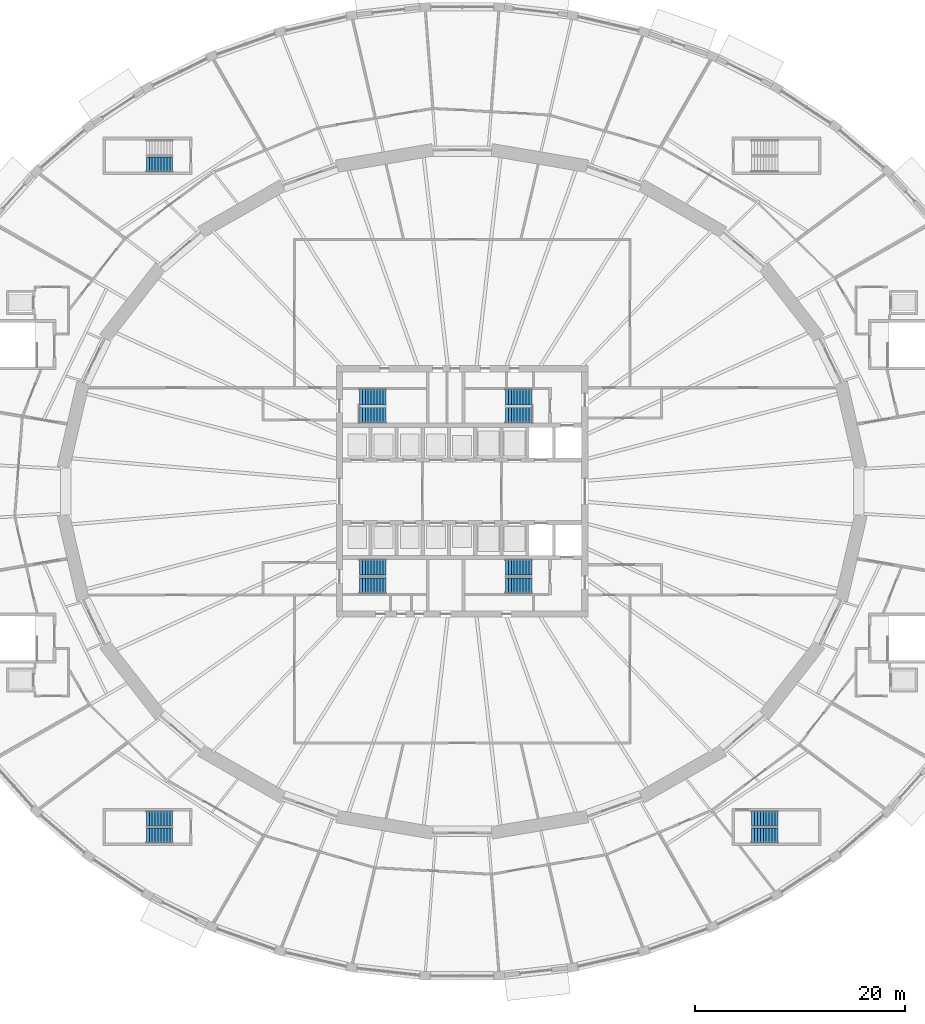
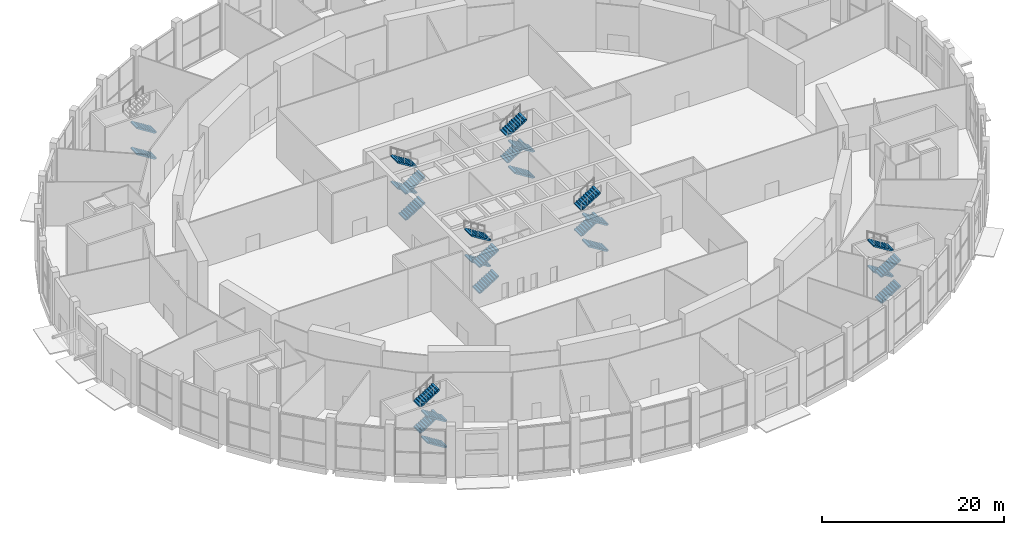
# One storey, part 29 of 33: 26 stair flights, 7 elements without a shape of their own.
"""IFC4 building model written with IfcOpenShell, lengths in metres."""

from ifc_helpers import new_model, si_unit, direction, frame, origin, place, context, subcontext, project, spatial, polyline, outline, extrude, material, type_object, element, aggregate, save


model = new_model("IFC4")

# Units and contexts
model_context = context("Model", 3, precision=1e-05, world=origin(), true_north=direction((0.0, 1.0)))
body_context = subcontext(model_context, "Body", "Model", "MODEL_VIEW")
ifc_project = project(units=[si_unit("LENGTHUNIT", "METRE"), si_unit("AREAUNIT", "SQUARE_METRE"), si_unit("VOLUMEUNIT", "CUBIC_METRE"), si_unit("PLANEANGLEUNIT", "RADIAN"), si_unit("MASSUNIT", "GRAM", prefix="KILO")], contexts=[model_context])

# Site, building, storey
site_placement = place(None, origin())
site = spatial("IfcSite", under=ifc_project, at=site_placement, CompositionType="ELEMENT")
building_placement = place(site_placement, origin())
building = spatial("IfcBuilding", under=site, at=building_placement, Name="Halqa Exchange Tower", CompositionType="ELEMENT")
storey_placement = place(building_placement, origin())
storey = spatial("IfcBuildingStorey", under=building, at=storey_placement, Name="L00", CompositionType="ELEMENT", Elevation=0.0)

# Stair, stair flights
ifc_material = material(Name="Concrete C30/37", Category="concrete")
stair_type_1 = type_object("IfcStairType", Name="Exit stair 1400 wide", PredefinedType="HALF_TURN_STAIR", material=ifc_material)
stair_1_placement = place(storey_placement, origin())
stair_1 = element("IfcStair", 1, at=stair_1_placement, inside=storey, type_object=stair_type_1, Name="Exit stair PS2", PredefinedType="HALF_TURN_STAIR")
stair_flight_type_1 = type_object("IfcStairFlightType", Name="Stair flight 1400 wide", PredefinedType="STRAIGHT", material=ifc_material)
stair_flight_1_placement = place(storey_placement, frame((27.60009765625, -32.824951171875, 0.0), z_axis=(0.0, 0.0, 1.0), x_axis=(1.0, 0.0, 0.0)))
stair_flight_1 = element("IfcStairFlight", 2, at=stair_flight_1_placement, type_object=stair_flight_type_1, Name="PS2 flight 1", NumberOfRisers=10, NumberOfTreads=9, PredefinedType="STRAIGHT", RiserHeight=0.175, TreadLength=0.28, context=body_context, shape_type="SweptSolid", body=[
    extrude(outline(polyline([(0.0, 0.0), (0.0, 0.175048828125), (0.280029296875, 0.175048828125), (0.280029296875, 0.35009765625), (0.56005859375, 0.35009765625), (0.56005859375, 0.52490234375), (0.840087890625, 0.52490234375), (0.840087890625, 0.699951171875), (1.1201171875, 0.699951171875), (1.1201171875, 0.875), (1.39990234375, 0.875), (1.39990234375, 1.050048828125), (1.679931640625, 1.050048828125), (1.679931640625, 1.22509765625), (1.9599609375, 1.22509765625), (1.9599609375, 1.39990234375), (2.239990234375, 1.39990234375), (2.239990234375, 1.574951171875), (2.52001953125, 1.574951171875), (2.52001953125, 1.75), (2.52001953125, 1.398193359375), (0.28271484375, 0.0), (0.0, 0.0)])), frame((0.0, 0.699951171875, 0.0), z_axis=(0.0, -1.0, 0.0), x_axis=(1.0, 0.0, 0.0)), (0.0, 0.0, 1.0), 1.39990234375),
])
stair_flight_2_placement = place(storey_placement, frame((30.1201171875, -31.175048828125, 1.75), z_axis=(0.0, 0.0, 1.0), x_axis=(-1.0, 0.0, 0.0)))
stair_flight_2 = element("IfcStairFlight", 3, at=stair_flight_2_placement, type_object=stair_flight_type_1, Name="PS2 flight 2", NumberOfRisers=10, NumberOfTreads=9, PredefinedType="STRAIGHT", RiserHeight=0.175, TreadLength=0.28, context=body_context, shape_type="SweptSolid", body=[
    extrude(outline(polyline([(0.0, 0.0), (0.0, 0.175048828125), (0.280029296875, 0.175048828125), (0.280029296875, 0.35009765625), (0.56005859375, 0.35009765625), (0.56005859375, 0.52490234375), (0.840087890625, 0.52490234375), (0.840087890625, 0.699951171875), (1.1201171875, 0.699951171875), (1.1201171875, 0.875), (1.39990234375, 0.875), (1.39990234375, 1.050048828125), (1.679931640625, 1.050048828125), (1.679931640625, 1.22509765625), (1.9599609375, 1.22509765625), (1.9599609375, 1.39990234375), (2.239990234375, 1.39990234375), (2.239990234375, 1.574951171875), (2.52001953125, 1.574951171875), (2.52001953125, 1.75), (2.52001953125, 1.398193359375), (0.28271484375, 0.0), (0.0, 0.0)])), frame((0.0, 0.699951171875, 0.0), z_axis=(0.0, -1.0, 0.0), x_axis=(1.0, 0.0, 0.0)), (0.0, 0.0, 1.0), 1.39990234375),
])
stair_flight_3_placement = place(storey_placement, frame((27.60009765625, -32.824951171875, 3.5), z_axis=(0.0, 0.0, 1.0), x_axis=(1.0, 0.0, 0.0)))
stair_flight_3 = element("IfcStairFlight", 4, at=stair_flight_3_placement, type_object=stair_flight_type_1, Name="PS2 flight 3", NumberOfRisers=10, NumberOfTreads=9, PredefinedType="STRAIGHT", RiserHeight=0.175, TreadLength=0.28, context=body_context, shape_type="SweptSolid", body=[
    extrude(outline(polyline([(0.0, 0.0), (0.0, 0.175048828125), (0.280029296875, 0.175048828125), (0.280029296875, 0.35009765625), (0.56005859375, 0.35009765625), (0.56005859375, 0.52490234375), (0.840087890625, 0.52490234375), (0.840087890625, 0.699951171875), (1.1201171875, 0.699951171875), (1.1201171875, 0.875), (1.39990234375, 0.875), (1.39990234375, 1.050048828125), (1.679931640625, 1.050048828125), (1.679931640625, 1.22509765625), (1.9599609375, 1.22509765625), (1.9599609375, 1.39990234375), (2.239990234375, 1.39990234375), (2.239990234375, 1.574951171875), (2.52001953125, 1.574951171875), (2.52001953125, 1.75), (2.52001953125, 1.398193359375), (0.28271484375, 0.0), (0.0, 0.0)])), frame((0.0, 0.699951171875, 0.0), z_axis=(0.0, -1.0, 0.0), x_axis=(1.0, 0.0, 0.0)), (0.0, 0.0, 1.0), 1.39990234375),
])
stair_flight_4_placement = place(storey_placement, frame((30.1201171875, -31.175048828125, 5.25), z_axis=(0.0, 0.0, 1.0), x_axis=(-1.0, 0.0, 0.0)))
stair_flight_4 = element("IfcStairFlight", 5, at=stair_flight_4_placement, type_object=stair_flight_type_1, Name="PS2 flight 4", NumberOfRisers=10, NumberOfTreads=9, PredefinedType="STRAIGHT", RiserHeight=0.175, TreadLength=0.28, context=body_context, shape_type="SweptSolid", body=[
    extrude(outline(polyline([(0.0, 0.0), (0.0, 0.175048828125), (0.280029296875, 0.175048828125), (0.280029296875, 0.35009765625), (0.56005859375, 0.35009765625), (0.56005859375, 0.52490234375), (0.840087890625, 0.52490234375), (0.840087890625, 0.699951171875), (1.1201171875, 0.699951171875), (1.1201171875, 0.875), (1.39990234375, 0.875), (1.39990234375, 1.050048828125), (1.679931640625, 1.050048828125), (1.679931640625, 1.22509765625), (1.9599609375, 1.22509765625), (1.9599609375, 1.39990234375), (2.239990234375, 1.39990234375), (2.239990234375, 1.574951171875), (2.52001953125, 1.574951171875), (2.52001953125, 1.75), (2.52001953125, 1.398193359375), (0.28271484375, 0.0), (0.0, 0.0)])), frame((0.0, 0.699951171875, 0.0), z_axis=(0.0, -1.0, 0.0), x_axis=(1.0, 0.0, 0.0)), (0.0, 0.0, 1.0), 1.39990234375),
])
aggregate(stair_1, [stair_flight_1, stair_flight_2, stair_flight_3, stair_flight_4])

stair_2_placement = place(storey_placement, origin())
stair_2 = element("IfcStair", 6, at=stair_2_placement, inside=storey, type_object=stair_type_1, Name="Exit stair PS3", PredefinedType="HALF_TURN_STAIR")
stair_flight_5_placement = place(storey_placement, frame((-27.60009765625, 31.175048828125, 0.0), z_axis=(0.0, 0.0, 1.0), x_axis=(-1.0, 0.0, 0.0)))
stair_flight_5 = element("IfcStairFlight", 7, at=stair_flight_5_placement, type_object=stair_flight_type_1, Name="PS3 flight 1", NumberOfRisers=10, NumberOfTreads=9, PredefinedType="STRAIGHT", RiserHeight=0.175, TreadLength=0.28, context=body_context, shape_type="SweptSolid", body=[
    extrude(outline(polyline([(0.0, 0.0), (0.0, 0.175048828125), (0.280029296875, 0.175048828125), (0.280029296875, 0.35009765625), (0.56005859375, 0.35009765625), (0.56005859375, 0.52490234375), (0.840087890625, 0.52490234375), (0.840087890625, 0.699951171875), (1.1201171875, 0.699951171875), (1.1201171875, 0.875), (1.39990234375, 0.875), (1.39990234375, 1.050048828125), (1.679931640625, 1.050048828125), (1.679931640625, 1.22509765625), (1.9599609375, 1.22509765625), (1.9599609375, 1.39990234375), (2.239990234375, 1.39990234375), (2.239990234375, 1.574951171875), (2.52001953125, 1.574951171875), (2.52001953125, 1.75), (2.52001953125, 1.398193359375), (0.28271484375, 0.0), (0.0, 0.0)])), frame((0.0, 0.699951171875, 0.0), z_axis=(0.0, -1.0, 0.0), x_axis=(1.0, 0.0, 0.0)), (0.0, 0.0, 1.0), 1.39990234375),
])
stair_flight_6_placement = place(storey_placement, frame((-27.60009765625, 31.175048828125, 3.5), z_axis=(0.0, 0.0, 1.0), x_axis=(-1.0, 0.0, 0.0)))
stair_flight_6 = element("IfcStairFlight", 8, at=stair_flight_6_placement, type_object=stair_flight_type_1, Name="PS3 flight 3", NumberOfRisers=10, NumberOfTreads=9, PredefinedType="STRAIGHT", RiserHeight=0.175, TreadLength=0.28, context=body_context, shape_type="SweptSolid", body=[
    extrude(outline(polyline([(0.0, 0.0), (0.0, 0.175048828125), (0.280029296875, 0.175048828125), (0.280029296875, 0.35009765625), (0.56005859375, 0.35009765625), (0.56005859375, 0.52490234375), (0.840087890625, 0.52490234375), (0.840087890625, 0.699951171875), (1.1201171875, 0.699951171875), (1.1201171875, 0.875), (1.39990234375, 0.875), (1.39990234375, 1.050048828125), (1.679931640625, 1.050048828125), (1.679931640625, 1.22509765625), (1.9599609375, 1.22509765625), (1.9599609375, 1.39990234375), (2.239990234375, 1.39990234375), (2.239990234375, 1.574951171875), (2.52001953125, 1.574951171875), (2.52001953125, 1.75), (2.52001953125, 1.398193359375), (0.28271484375, 0.0), (0.0, 0.0)])), frame((0.0, 0.699951171875, 0.0), z_axis=(0.0, -1.0, 0.0), x_axis=(1.0, 0.0, 0.0)), (0.0, 0.0, 1.0), 1.39990234375),
])
aggregate(stair_2, [stair_flight_5, stair_flight_6])

stair_3_placement = place(storey_placement, origin())
stair_3 = element("IfcStair", 9, at=stair_3_placement, inside=storey, type_object=stair_type_1, Name="Exit stair PS4", PredefinedType="HALF_TURN_STAIR")
stair_flight_7_placement = place(storey_placement, frame((-27.60009765625, -32.824951171875, 0.0), z_axis=(0.0, 0.0, 1.0), x_axis=(-1.0, 0.0, 0.0)))
stair_flight_7 = element("IfcStairFlight", 10, at=stair_flight_7_placement, type_object=stair_flight_type_1, Name="PS4 flight 1", NumberOfRisers=10, NumberOfTreads=9, PredefinedType="STRAIGHT", RiserHeight=0.175, TreadLength=0.28, context=body_context, shape_type="SweptSolid", body=[
    extrude(outline(polyline([(0.0, 0.0), (0.0, 0.175048828125), (0.280029296875, 0.175048828125), (0.280029296875, 0.35009765625), (0.56005859375, 0.35009765625), (0.56005859375, 0.52490234375), (0.840087890625, 0.52490234375), (0.840087890625, 0.699951171875), (1.1201171875, 0.699951171875), (1.1201171875, 0.875), (1.39990234375, 0.875), (1.39990234375, 1.050048828125), (1.679931640625, 1.050048828125), (1.679931640625, 1.22509765625), (1.9599609375, 1.22509765625), (1.9599609375, 1.39990234375), (2.239990234375, 1.39990234375), (2.239990234375, 1.574951171875), (2.52001953125, 1.574951171875), (2.52001953125, 1.75), (2.52001953125, 1.398193359375), (0.28271484375, 0.0), (0.0, 0.0)])), frame((0.0, 0.699951171875, 0.0), z_axis=(0.0, -1.0, 0.0), x_axis=(1.0, 0.0, 0.0)), (0.0, 0.0, 1.0), 1.39990234375),
])
stair_flight_8_placement = place(storey_placement, frame((-30.1201171875, -31.175048828125, 1.75), z_axis=(0.0, 0.0, 1.0), x_axis=(1.0, 0.0, 0.0)))
stair_flight_8 = element("IfcStairFlight", 11, at=stair_flight_8_placement, type_object=stair_flight_type_1, Name="PS4 flight 2", NumberOfRisers=10, NumberOfTreads=9, PredefinedType="STRAIGHT", RiserHeight=0.175, TreadLength=0.28, context=body_context, shape_type="SweptSolid", body=[
    extrude(outline(polyline([(0.0, 0.0), (0.0, 0.175048828125), (0.280029296875, 0.175048828125), (0.280029296875, 0.35009765625), (0.56005859375, 0.35009765625), (0.56005859375, 0.52490234375), (0.840087890625, 0.52490234375), (0.840087890625, 0.699951171875), (1.1201171875, 0.699951171875), (1.1201171875, 0.875), (1.39990234375, 0.875), (1.39990234375, 1.050048828125), (1.679931640625, 1.050048828125), (1.679931640625, 1.22509765625), (1.9599609375, 1.22509765625), (1.9599609375, 1.39990234375), (2.239990234375, 1.39990234375), (2.239990234375, 1.574951171875), (2.52001953125, 1.574951171875), (2.52001953125, 1.75), (2.52001953125, 1.398193359375), (0.28271484375, 0.0), (0.0, 0.0)])), frame((0.0, 0.699951171875, 0.0), z_axis=(0.0, -1.0, 0.0), x_axis=(1.0, 0.0, 0.0)), (0.0, 0.0, 1.0), 1.39990234375),
])
stair_flight_9_placement = place(storey_placement, frame((-27.60009765625, -32.824951171875, 3.5), z_axis=(0.0, 0.0, 1.0), x_axis=(-1.0, 0.0, 0.0)))
stair_flight_9 = element("IfcStairFlight", 12, at=stair_flight_9_placement, type_object=stair_flight_type_1, Name="PS4 flight 3", NumberOfRisers=10, NumberOfTreads=9, PredefinedType="STRAIGHT", RiserHeight=0.175, TreadLength=0.28, context=body_context, shape_type="SweptSolid", body=[
    extrude(outline(polyline([(0.0, 0.0), (0.0, 0.175048828125), (0.280029296875, 0.175048828125), (0.280029296875, 0.35009765625), (0.56005859375, 0.35009765625), (0.56005859375, 0.52490234375), (0.840087890625, 0.52490234375), (0.840087890625, 0.699951171875), (1.1201171875, 0.699951171875), (1.1201171875, 0.875), (1.39990234375, 0.875), (1.39990234375, 1.050048828125), (1.679931640625, 1.050048828125), (1.679931640625, 1.22509765625), (1.9599609375, 1.22509765625), (1.9599609375, 1.39990234375), (2.239990234375, 1.39990234375), (2.239990234375, 1.574951171875), (2.52001953125, 1.574951171875), (2.52001953125, 1.75), (2.52001953125, 1.398193359375), (0.28271484375, 0.0), (0.0, 0.0)])), frame((0.0, 0.699951171875, 0.0), z_axis=(0.0, -1.0, 0.0), x_axis=(1.0, 0.0, 0.0)), (0.0, 0.0, 1.0), 1.39990234375),
])
stair_flight_10_placement = place(storey_placement, frame((-30.1201171875, -31.175048828125, 5.25), z_axis=(0.0, 0.0, 1.0), x_axis=(1.0, 0.0, 0.0)))
stair_flight_10 = element("IfcStairFlight", 13, at=stair_flight_10_placement, type_object=stair_flight_type_1, Name="PS4 flight 4", NumberOfRisers=10, NumberOfTreads=9, PredefinedType="STRAIGHT", RiserHeight=0.175, TreadLength=0.28, context=body_context, shape_type="SweptSolid", body=[
    extrude(outline(polyline([(0.0, 0.0), (0.0, 0.175048828125), (0.280029296875, 0.175048828125), (0.280029296875, 0.35009765625), (0.56005859375, 0.35009765625), (0.56005859375, 0.52490234375), (0.840087890625, 0.52490234375), (0.840087890625, 0.699951171875), (1.1201171875, 0.699951171875), (1.1201171875, 0.875), (1.39990234375, 0.875), (1.39990234375, 1.050048828125), (1.679931640625, 1.050048828125), (1.679931640625, 1.22509765625), (1.9599609375, 1.22509765625), (1.9599609375, 1.39990234375), (2.239990234375, 1.39990234375), (2.239990234375, 1.574951171875), (2.52001953125, 1.574951171875), (2.52001953125, 1.75), (2.52001953125, 1.398193359375), (0.28271484375, 0.0), (0.0, 0.0)])), frame((0.0, 0.699951171875, 0.0), z_axis=(0.0, -1.0, 0.0), x_axis=(1.0, 0.0, 0.0)), (0.0, 0.0, 1.0), 1.39990234375),
])
aggregate(stair_3, [stair_flight_7, stair_flight_8, stair_flight_9, stair_flight_10])

stair_type_2 = type_object("IfcStairType", Name="Exit stair 1500 wide", PredefinedType="HALF_TURN_STAIR", material=ifc_material)
stair_4_placement = place(storey_placement, origin())
stair_4 = element("IfcStair", 14, at=stair_4_placement, inside=storey, type_object=stair_type_2, Name="Exit stair ST1", PredefinedType="HALF_TURN_STAIR")
stair_flight_type_2 = type_object("IfcStairFlightType", Name="Stair flight 1500 wide", PredefinedType="STRAIGHT", material=ifc_material)
stair_flight_11_placement = place(storey_placement, frame((-9.800048828125, 7.25, 0.0), z_axis=(0.0, 0.0, 1.0), x_axis=(1.0, 0.0, 0.0)))
stair_flight_11 = element("IfcStairFlight", 15, at=stair_flight_11_placement, type_object=stair_flight_type_2, Name="ST1 flight 1", NumberOfRisers=10, NumberOfTreads=9, PredefinedType="STRAIGHT", RiserHeight=0.175, TreadLength=0.28, context=body_context, shape_type="SweptSolid", body=[
    extrude(outline(polyline([(0.0, 0.0), (0.0, 0.175048828125), (0.280029296875, 0.175048828125), (0.280029296875, 0.35009765625), (0.56005859375, 0.35009765625), (0.56005859375, 0.52490234375), (0.840087890625, 0.52490234375), (0.840087890625, 0.699951171875), (1.1201171875, 0.699951171875), (1.1201171875, 0.875), (1.39990234375, 0.875), (1.39990234375, 1.050048828125), (1.679931640625, 1.050048828125), (1.679931640625, 1.22509765625), (1.9599609375, 1.22509765625), (1.9599609375, 1.39990234375), (2.239990234375, 1.39990234375), (2.239990234375, 1.574951171875), (2.52001953125, 1.574951171875), (2.52001953125, 1.75), (2.52001953125, 1.398193359375), (0.28271484375, 0.0), (0.0, 0.0)])), frame((0.0, 0.75, 0.0), z_axis=(0.0, -1.0, 0.0), x_axis=(1.0, 0.0, 0.0)), (0.0, 0.0, 1.0), 1.5),
])
stair_flight_12_placement = place(storey_placement, frame((-7.280029296875, 9.0, 1.75), z_axis=(0.0, 0.0, 1.0), x_axis=(-1.0, 0.0, 0.0)))
stair_flight_12 = element("IfcStairFlight", 16, at=stair_flight_12_placement, type_object=stair_flight_type_2, Name="ST1 flight 2", NumberOfRisers=10, NumberOfTreads=9, PredefinedType="STRAIGHT", RiserHeight=0.175, TreadLength=0.28, context=body_context, shape_type="SweptSolid", body=[
    extrude(outline(polyline([(0.0, 0.0), (0.0, 0.175048828125), (0.280029296875, 0.175048828125), (0.280029296875, 0.35009765625), (0.56005859375, 0.35009765625), (0.56005859375, 0.52490234375), (0.840087890625, 0.52490234375), (0.840087890625, 0.699951171875), (1.1201171875, 0.699951171875), (1.1201171875, 0.875), (1.39990234375, 0.875), (1.39990234375, 1.050048828125), (1.679931640625, 1.050048828125), (1.679931640625, 1.22509765625), (1.9599609375, 1.22509765625), (1.9599609375, 1.39990234375), (2.239990234375, 1.39990234375), (2.239990234375, 1.574951171875), (2.52001953125, 1.574951171875), (2.52001953125, 1.75), (2.52001953125, 1.398193359375), (0.28271484375, 0.0), (0.0, 0.0)])), frame((0.0, 0.75, 0.0), z_axis=(0.0, -1.0, 0.0), x_axis=(1.0, 0.0, 0.0)), (0.0, 0.0, 1.0), 1.5),
])
stair_flight_13_placement = place(storey_placement, frame((-9.800048828125, 7.25, 3.5), z_axis=(0.0, 0.0, 1.0), x_axis=(1.0, 0.0, 0.0)))
stair_flight_13 = element("IfcStairFlight", 17, at=stair_flight_13_placement, type_object=stair_flight_type_2, Name="ST1 flight 3", NumberOfRisers=10, NumberOfTreads=9, PredefinedType="STRAIGHT", RiserHeight=0.175, TreadLength=0.28, context=body_context, shape_type="SweptSolid", body=[
    extrude(outline(polyline([(0.0, 0.0), (0.0, 0.175048828125), (0.280029296875, 0.175048828125), (0.280029296875, 0.35009765625), (0.56005859375, 0.35009765625), (0.56005859375, 0.52490234375), (0.840087890625, 0.52490234375), (0.840087890625, 0.699951171875), (1.1201171875, 0.699951171875), (1.1201171875, 0.875), (1.39990234375, 0.875), (1.39990234375, 1.050048828125), (1.679931640625, 1.050048828125), (1.679931640625, 1.22509765625), (1.9599609375, 1.22509765625), (1.9599609375, 1.39990234375), (2.239990234375, 1.39990234375), (2.239990234375, 1.574951171875), (2.52001953125, 1.574951171875), (2.52001953125, 1.75), (2.52001953125, 1.398193359375), (0.28271484375, 0.0), (0.0, 0.0)])), frame((0.0, 0.75, 0.0), z_axis=(0.0, -1.0, 0.0), x_axis=(1.0, 0.0, 0.0)), (0.0, 0.0, 1.0), 1.5),
])
stair_flight_14_placement = place(storey_placement, frame((-7.280029296875, 9.0, 5.25), z_axis=(0.0, 0.0, 1.0), x_axis=(-1.0, 0.0, 0.0)))
stair_flight_14 = element("IfcStairFlight", 18, at=stair_flight_14_placement, type_object=stair_flight_type_2, Name="ST1 flight 4", NumberOfRisers=10, NumberOfTreads=9, PredefinedType="STRAIGHT", RiserHeight=0.175, TreadLength=0.28, context=body_context, shape_type="SweptSolid", body=[
    extrude(outline(polyline([(0.0, 0.0), (0.0, 0.175048828125), (0.280029296875, 0.175048828125), (0.280029296875, 0.35009765625), (0.56005859375, 0.35009765625), (0.56005859375, 0.52490234375), (0.840087890625, 0.52490234375), (0.840087890625, 0.699951171875), (1.1201171875, 0.699951171875), (1.1201171875, 0.875), (1.39990234375, 0.875), (1.39990234375, 1.050048828125), (1.679931640625, 1.050048828125), (1.679931640625, 1.22509765625), (1.9599609375, 1.22509765625), (1.9599609375, 1.39990234375), (2.239990234375, 1.39990234375), (2.239990234375, 1.574951171875), (2.52001953125, 1.574951171875), (2.52001953125, 1.75), (2.52001953125, 1.398193359375), (0.28271484375, 0.0), (0.0, 0.0)])), frame((0.0, 0.75, 0.0), z_axis=(0.0, -1.0, 0.0), x_axis=(1.0, 0.0, 0.0)), (0.0, 0.0, 1.0), 1.5),
])
aggregate(stair_4, [stair_flight_11, stair_flight_12, stair_flight_13, stair_flight_14])

stair_5_placement = place(storey_placement, origin())
stair_5 = element("IfcStair", 19, at=stair_5_placement, inside=storey, type_object=stair_type_2, Name="Exit stair ST2", PredefinedType="HALF_TURN_STAIR")
stair_flight_15_placement = place(storey_placement, frame((6.64990234375, 7.25, 0.0), z_axis=(0.0, 0.0, 1.0), x_axis=(-1.0, 0.0, 0.0)))
stair_flight_15 = element("IfcStairFlight", 20, at=stair_flight_15_placement, type_object=stair_flight_type_2, Name="ST2 flight 1", NumberOfRisers=10, NumberOfTreads=9, PredefinedType="STRAIGHT", RiserHeight=0.175, TreadLength=0.28, context=body_context, shape_type="SweptSolid", body=[
    extrude(outline(polyline([(0.0, 0.0), (0.0, 0.175048828125), (0.280029296875, 0.175048828125), (0.280029296875, 0.35009765625), (0.56005859375, 0.35009765625), (0.56005859375, 0.52490234375), (0.840087890625, 0.52490234375), (0.840087890625, 0.699951171875), (1.1201171875, 0.699951171875), (1.1201171875, 0.875), (1.39990234375, 0.875), (1.39990234375, 1.050048828125), (1.679931640625, 1.050048828125), (1.679931640625, 1.22509765625), (1.9599609375, 1.22509765625), (1.9599609375, 1.39990234375), (2.239990234375, 1.39990234375), (2.239990234375, 1.574951171875), (2.52001953125, 1.574951171875), (2.52001953125, 1.75), (2.52001953125, 1.398193359375), (0.28271484375, 0.0), (0.0, 0.0)])), frame((0.0, 0.75, 0.0), z_axis=(0.0, -1.0, 0.0), x_axis=(1.0, 0.0, 0.0)), (0.0, 0.0, 1.0), 1.5),
])
stair_flight_16_placement = place(storey_placement, frame((4.1298828125, 9.0, 1.75), z_axis=(0.0, 0.0, 1.0), x_axis=(1.0, 0.0, 0.0)))
stair_flight_16 = element("IfcStairFlight", 21, at=stair_flight_16_placement, type_object=stair_flight_type_2, Name="ST2 flight 2", NumberOfRisers=10, NumberOfTreads=9, PredefinedType="STRAIGHT", RiserHeight=0.175, TreadLength=0.28, context=body_context, shape_type="SweptSolid", body=[
    extrude(outline(polyline([(0.0, 0.0), (0.0, 0.175048828125), (0.280029296875, 0.175048828125), (0.280029296875, 0.35009765625), (0.56005859375, 0.35009765625), (0.56005859375, 0.52490234375), (0.840087890625, 0.52490234375), (0.840087890625, 0.699951171875), (1.1201171875, 0.699951171875), (1.1201171875, 0.875), (1.39990234375, 0.875), (1.39990234375, 1.050048828125), (1.679931640625, 1.050048828125), (1.679931640625, 1.22509765625), (1.9599609375, 1.22509765625), (1.9599609375, 1.39990234375), (2.239990234375, 1.39990234375), (2.239990234375, 1.574951171875), (2.52001953125, 1.574951171875), (2.52001953125, 1.75), (2.52001953125, 1.398193359375), (0.28271484375, 0.0), (0.0, 0.0)])), frame((0.0, 0.75, 0.0), z_axis=(0.0, -1.0, 0.0), x_axis=(1.0, 0.0, 0.0)), (0.0, 0.0, 1.0), 1.5),
])
stair_flight_17_placement = place(storey_placement, frame((6.64990234375, 7.25, 3.5), z_axis=(0.0, 0.0, 1.0), x_axis=(-1.0, 0.0, 0.0)))
stair_flight_17 = element("IfcStairFlight", 22, at=stair_flight_17_placement, type_object=stair_flight_type_2, Name="ST2 flight 3", NumberOfRisers=10, NumberOfTreads=9, PredefinedType="STRAIGHT", RiserHeight=0.175, TreadLength=0.28, context=body_context, shape_type="SweptSolid", body=[
    extrude(outline(polyline([(0.0, 0.0), (0.0, 0.175048828125), (0.280029296875, 0.175048828125), (0.280029296875, 0.35009765625), (0.56005859375, 0.35009765625), (0.56005859375, 0.52490234375), (0.840087890625, 0.52490234375), (0.840087890625, 0.699951171875), (1.1201171875, 0.699951171875), (1.1201171875, 0.875), (1.39990234375, 0.875), (1.39990234375, 1.050048828125), (1.679931640625, 1.050048828125), (1.679931640625, 1.22509765625), (1.9599609375, 1.22509765625), (1.9599609375, 1.39990234375), (2.239990234375, 1.39990234375), (2.239990234375, 1.574951171875), (2.52001953125, 1.574951171875), (2.52001953125, 1.75), (2.52001953125, 1.398193359375), (0.28271484375, 0.0), (0.0, 0.0)])), frame((0.0, 0.75, 0.0), z_axis=(0.0, -1.0, 0.0), x_axis=(1.0, 0.0, 0.0)), (0.0, 0.0, 1.0), 1.5),
])
stair_flight_18_placement = place(storey_placement, frame((4.1298828125, 9.0, 5.25), z_axis=(0.0, 0.0, 1.0), x_axis=(1.0, 0.0, 0.0)))
stair_flight_18 = element("IfcStairFlight", 23, at=stair_flight_18_placement, type_object=stair_flight_type_2, Name="ST2 flight 4", NumberOfRisers=10, NumberOfTreads=9, PredefinedType="STRAIGHT", RiserHeight=0.175, TreadLength=0.28, context=body_context, shape_type="SweptSolid", body=[
    extrude(outline(polyline([(0.0, 0.0), (0.0, 0.175048828125), (0.280029296875, 0.175048828125), (0.280029296875, 0.35009765625), (0.56005859375, 0.35009765625), (0.56005859375, 0.52490234375), (0.840087890625, 0.52490234375), (0.840087890625, 0.699951171875), (1.1201171875, 0.699951171875), (1.1201171875, 0.875), (1.39990234375, 0.875), (1.39990234375, 1.050048828125), (1.679931640625, 1.050048828125), (1.679931640625, 1.22509765625), (1.9599609375, 1.22509765625), (1.9599609375, 1.39990234375), (2.239990234375, 1.39990234375), (2.239990234375, 1.574951171875), (2.52001953125, 1.574951171875), (2.52001953125, 1.75), (2.52001953125, 1.398193359375), (0.28271484375, 0.0), (0.0, 0.0)])), frame((0.0, 0.75, 0.0), z_axis=(0.0, -1.0, 0.0), x_axis=(1.0, 0.0, 0.0)), (0.0, 0.0, 1.0), 1.5),
])
aggregate(stair_5, [stair_flight_15, stair_flight_16, stair_flight_17, stair_flight_18])

stair_6_placement = place(storey_placement, origin())
stair_6 = element("IfcStair", 24, at=stair_6_placement, inside=storey, type_object=stair_type_2, Name="Exit stair ST3", PredefinedType="HALF_TURN_STAIR")
stair_flight_19_placement = place(storey_placement, frame((-9.800048828125, -9.0, 0.0), z_axis=(0.0, 0.0, 1.0), x_axis=(1.0, 0.0, 0.0)))
stair_flight_19 = element("IfcStairFlight", 25, at=stair_flight_19_placement, type_object=stair_flight_type_2, Name="ST3 flight 1", NumberOfRisers=10, NumberOfTreads=9, PredefinedType="STRAIGHT", RiserHeight=0.175, TreadLength=0.28, context=body_context, shape_type="SweptSolid", body=[
    extrude(outline(polyline([(0.0, 0.0), (0.0, 0.175048828125), (0.280029296875, 0.175048828125), (0.280029296875, 0.35009765625), (0.56005859375, 0.35009765625), (0.56005859375, 0.52490234375), (0.840087890625, 0.52490234375), (0.840087890625, 0.699951171875), (1.1201171875, 0.699951171875), (1.1201171875, 0.875), (1.39990234375, 0.875), (1.39990234375, 1.050048828125), (1.679931640625, 1.050048828125), (1.679931640625, 1.22509765625), (1.9599609375, 1.22509765625), (1.9599609375, 1.39990234375), (2.239990234375, 1.39990234375), (2.239990234375, 1.574951171875), (2.52001953125, 1.574951171875), (2.52001953125, 1.75), (2.52001953125, 1.398193359375), (0.28271484375, 0.0), (0.0, 0.0)])), frame((0.0, 0.75, 0.0), z_axis=(0.0, -1.0, 0.0), x_axis=(1.0, 0.0, 0.0)), (0.0, 0.0, 1.0), 1.5),
])
stair_flight_20_placement = place(storey_placement, frame((-7.280029296875, -7.25, 1.75), z_axis=(0.0, 0.0, 1.0), x_axis=(-1.0, 0.0, 0.0)))
stair_flight_20 = element("IfcStairFlight", 26, at=stair_flight_20_placement, type_object=stair_flight_type_2, Name="ST3 flight 2", NumberOfRisers=10, NumberOfTreads=9, PredefinedType="STRAIGHT", RiserHeight=0.175, TreadLength=0.28, context=body_context, shape_type="SweptSolid", body=[
    extrude(outline(polyline([(0.0, 0.0), (0.0, 0.175048828125), (0.280029296875, 0.175048828125), (0.280029296875, 0.35009765625), (0.56005859375, 0.35009765625), (0.56005859375, 0.52490234375), (0.840087890625, 0.52490234375), (0.840087890625, 0.699951171875), (1.1201171875, 0.699951171875), (1.1201171875, 0.875), (1.39990234375, 0.875), (1.39990234375, 1.050048828125), (1.679931640625, 1.050048828125), (1.679931640625, 1.22509765625), (1.9599609375, 1.22509765625), (1.9599609375, 1.39990234375), (2.239990234375, 1.39990234375), (2.239990234375, 1.574951171875), (2.52001953125, 1.574951171875), (2.52001953125, 1.75), (2.52001953125, 1.398193359375), (0.28271484375, 0.0), (0.0, 0.0)])), frame((0.0, 0.75, 0.0), z_axis=(0.0, -1.0, 0.0), x_axis=(1.0, 0.0, 0.0)), (0.0, 0.0, 1.0), 1.5),
])
stair_flight_21_placement = place(storey_placement, frame((-9.800048828125, -9.0, 3.5), z_axis=(0.0, 0.0, 1.0), x_axis=(1.0, 0.0, 0.0)))
stair_flight_21 = element("IfcStairFlight", 27, at=stair_flight_21_placement, type_object=stair_flight_type_2, Name="ST3 flight 3", NumberOfRisers=10, NumberOfTreads=9, PredefinedType="STRAIGHT", RiserHeight=0.175, TreadLength=0.28, context=body_context, shape_type="SweptSolid", body=[
    extrude(outline(polyline([(0.0, 0.0), (0.0, 0.175048828125), (0.280029296875, 0.175048828125), (0.280029296875, 0.35009765625), (0.56005859375, 0.35009765625), (0.56005859375, 0.52490234375), (0.840087890625, 0.52490234375), (0.840087890625, 0.699951171875), (1.1201171875, 0.699951171875), (1.1201171875, 0.875), (1.39990234375, 0.875), (1.39990234375, 1.050048828125), (1.679931640625, 1.050048828125), (1.679931640625, 1.22509765625), (1.9599609375, 1.22509765625), (1.9599609375, 1.39990234375), (2.239990234375, 1.39990234375), (2.239990234375, 1.574951171875), (2.52001953125, 1.574951171875), (2.52001953125, 1.75), (2.52001953125, 1.398193359375), (0.28271484375, 0.0), (0.0, 0.0)])), frame((0.0, 0.75, 0.0), z_axis=(0.0, -1.0, 0.0), x_axis=(1.0, 0.0, 0.0)), (0.0, 0.0, 1.0), 1.5),
])
stair_flight_22_placement = place(storey_placement, frame((-7.280029296875, -7.25, 5.25), z_axis=(0.0, 0.0, 1.0), x_axis=(-1.0, 0.0, 0.0)))
stair_flight_22 = element("IfcStairFlight", 28, at=stair_flight_22_placement, type_object=stair_flight_type_2, Name="ST3 flight 4", NumberOfRisers=10, NumberOfTreads=9, PredefinedType="STRAIGHT", RiserHeight=0.175, TreadLength=0.28, context=body_context, shape_type="SweptSolid", body=[
    extrude(outline(polyline([(0.0, 0.0), (0.0, 0.175048828125), (0.280029296875, 0.175048828125), (0.280029296875, 0.35009765625), (0.56005859375, 0.35009765625), (0.56005859375, 0.52490234375), (0.840087890625, 0.52490234375), (0.840087890625, 0.699951171875), (1.1201171875, 0.699951171875), (1.1201171875, 0.875), (1.39990234375, 0.875), (1.39990234375, 1.050048828125), (1.679931640625, 1.050048828125), (1.679931640625, 1.22509765625), (1.9599609375, 1.22509765625), (1.9599609375, 1.39990234375), (2.239990234375, 1.39990234375), (2.239990234375, 1.574951171875), (2.52001953125, 1.574951171875), (2.52001953125, 1.75), (2.52001953125, 1.398193359375), (0.28271484375, 0.0), (0.0, 0.0)])), frame((0.0, 0.75, 0.0), z_axis=(0.0, -1.0, 0.0), x_axis=(1.0, 0.0, 0.0)), (0.0, 0.0, 1.0), 1.5),
])
aggregate(stair_6, [stair_flight_19, stair_flight_20, stair_flight_21, stair_flight_22])

stair_7_placement = place(storey_placement, origin())
stair_7 = element("IfcStair", 29, at=stair_7_placement, inside=storey, type_object=stair_type_2, Name="Exit stair ST4", PredefinedType="HALF_TURN_STAIR")
stair_flight_23_placement = place(storey_placement, frame((6.64990234375, -9.0, 0.0), z_axis=(0.0, 0.0, 1.0), x_axis=(-1.0, 0.0, 0.0)))
stair_flight_23 = element("IfcStairFlight", 30, at=stair_flight_23_placement, type_object=stair_flight_type_2, Name="ST4 flight 1", NumberOfRisers=10, NumberOfTreads=9, PredefinedType="STRAIGHT", RiserHeight=0.175, TreadLength=0.28, context=body_context, shape_type="SweptSolid", body=[
    extrude(outline(polyline([(0.0, 0.0), (0.0, 0.175048828125), (0.280029296875, 0.175048828125), (0.280029296875, 0.35009765625), (0.56005859375, 0.35009765625), (0.56005859375, 0.52490234375), (0.840087890625, 0.52490234375), (0.840087890625, 0.699951171875), (1.1201171875, 0.699951171875), (1.1201171875, 0.875), (1.39990234375, 0.875), (1.39990234375, 1.050048828125), (1.679931640625, 1.050048828125), (1.679931640625, 1.22509765625), (1.9599609375, 1.22509765625), (1.9599609375, 1.39990234375), (2.239990234375, 1.39990234375), (2.239990234375, 1.574951171875), (2.52001953125, 1.574951171875), (2.52001953125, 1.75), (2.52001953125, 1.398193359375), (0.28271484375, 0.0), (0.0, 0.0)])), frame((0.0, 0.75, 0.0), z_axis=(0.0, -1.0, 0.0), x_axis=(1.0, 0.0, 0.0)), (0.0, 0.0, 1.0), 1.5),
])
stair_flight_24_placement = place(storey_placement, frame((4.1298828125, -7.25, 1.75), z_axis=(0.0, 0.0, 1.0), x_axis=(1.0, 0.0, 0.0)))
stair_flight_24 = element("IfcStairFlight", 31, at=stair_flight_24_placement, type_object=stair_flight_type_2, Name="ST4 flight 2", NumberOfRisers=10, NumberOfTreads=9, PredefinedType="STRAIGHT", RiserHeight=0.175, TreadLength=0.28, context=body_context, shape_type="SweptSolid", body=[
    extrude(outline(polyline([(0.0, 0.0), (0.0, 0.175048828125), (0.280029296875, 0.175048828125), (0.280029296875, 0.35009765625), (0.56005859375, 0.35009765625), (0.56005859375, 0.52490234375), (0.840087890625, 0.52490234375), (0.840087890625, 0.699951171875), (1.1201171875, 0.699951171875), (1.1201171875, 0.875), (1.39990234375, 0.875), (1.39990234375, 1.050048828125), (1.679931640625, 1.050048828125), (1.679931640625, 1.22509765625), (1.9599609375, 1.22509765625), (1.9599609375, 1.39990234375), (2.239990234375, 1.39990234375), (2.239990234375, 1.574951171875), (2.52001953125, 1.574951171875), (2.52001953125, 1.75), (2.52001953125, 1.398193359375), (0.28271484375, 0.0), (0.0, 0.0)])), frame((0.0, 0.75, 0.0), z_axis=(0.0, -1.0, 0.0), x_axis=(1.0, 0.0, 0.0)), (0.0, 0.0, 1.0), 1.5),
])
stair_flight_25_placement = place(storey_placement, frame((6.64990234375, -9.0, 3.5), z_axis=(0.0, 0.0, 1.0), x_axis=(-1.0, 0.0, 0.0)))
stair_flight_25 = element("IfcStairFlight", 32, at=stair_flight_25_placement, type_object=stair_flight_type_2, Name="ST4 flight 3", NumberOfRisers=10, NumberOfTreads=9, PredefinedType="STRAIGHT", RiserHeight=0.175, TreadLength=0.28, context=body_context, shape_type="SweptSolid", body=[
    extrude(outline(polyline([(0.0, 0.0), (0.0, 0.175048828125), (0.280029296875, 0.175048828125), (0.280029296875, 0.35009765625), (0.56005859375, 0.35009765625), (0.56005859375, 0.52490234375), (0.840087890625, 0.52490234375), (0.840087890625, 0.699951171875), (1.1201171875, 0.699951171875), (1.1201171875, 0.875), (1.39990234375, 0.875), (1.39990234375, 1.050048828125), (1.679931640625, 1.050048828125), (1.679931640625, 1.22509765625), (1.9599609375, 1.22509765625), (1.9599609375, 1.39990234375), (2.239990234375, 1.39990234375), (2.239990234375, 1.574951171875), (2.52001953125, 1.574951171875), (2.52001953125, 1.75), (2.52001953125, 1.398193359375), (0.28271484375, 0.0), (0.0, 0.0)])), frame((0.0, 0.75, 0.0), z_axis=(0.0, -1.0, 0.0), x_axis=(1.0, 0.0, 0.0)), (0.0, 0.0, 1.0), 1.5),
])
stair_flight_26_placement = place(storey_placement, frame((4.1298828125, -7.25, 5.25), z_axis=(0.0, 0.0, 1.0), x_axis=(1.0, 0.0, 0.0)))
stair_flight_26 = element("IfcStairFlight", 33, at=stair_flight_26_placement, type_object=stair_flight_type_2, Name="ST4 flight 4", NumberOfRisers=10, NumberOfTreads=9, PredefinedType="STRAIGHT", RiserHeight=0.175, TreadLength=0.28, context=body_context, shape_type="SweptSolid", body=[
    extrude(outline(polyline([(0.0, 0.0), (0.0, 0.175048828125), (0.280029296875, 0.175048828125), (0.280029296875, 0.35009765625), (0.56005859375, 0.35009765625), (0.56005859375, 0.52490234375), (0.840087890625, 0.52490234375), (0.840087890625, 0.699951171875), (1.1201171875, 0.699951171875), (1.1201171875, 0.875), (1.39990234375, 0.875), (1.39990234375, 1.050048828125), (1.679931640625, 1.050048828125), (1.679931640625, 1.22509765625), (1.9599609375, 1.22509765625), (1.9599609375, 1.39990234375), (2.239990234375, 1.39990234375), (2.239990234375, 1.574951171875), (2.52001953125, 1.574951171875), (2.52001953125, 1.75), (2.52001953125, 1.398193359375), (0.28271484375, 0.0), (0.0, 0.0)])), frame((0.0, 0.75, 0.0), z_axis=(0.0, -1.0, 0.0), x_axis=(1.0, 0.0, 0.0)), (0.0, 0.0, 1.0), 1.5),
])
aggregate(stair_7, [stair_flight_23, stair_flight_24, stair_flight_25, stair_flight_26])

save(model, "model.ifc")
